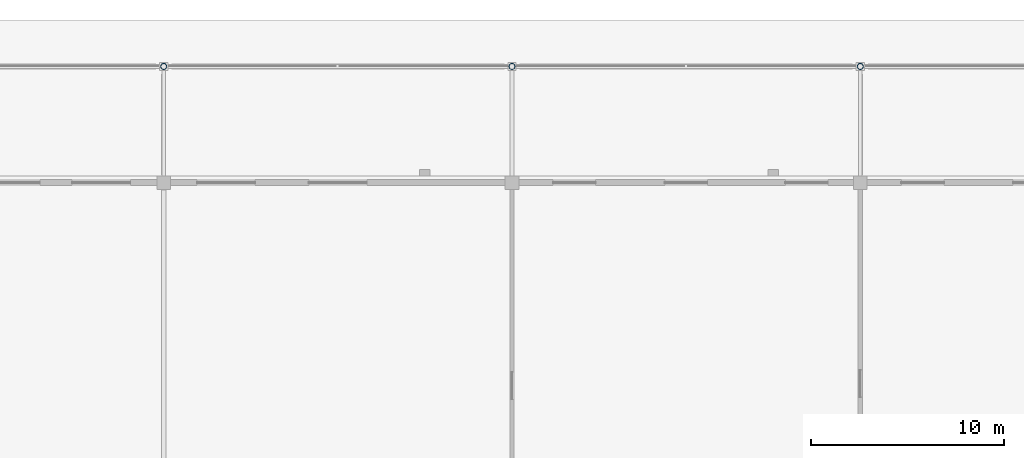
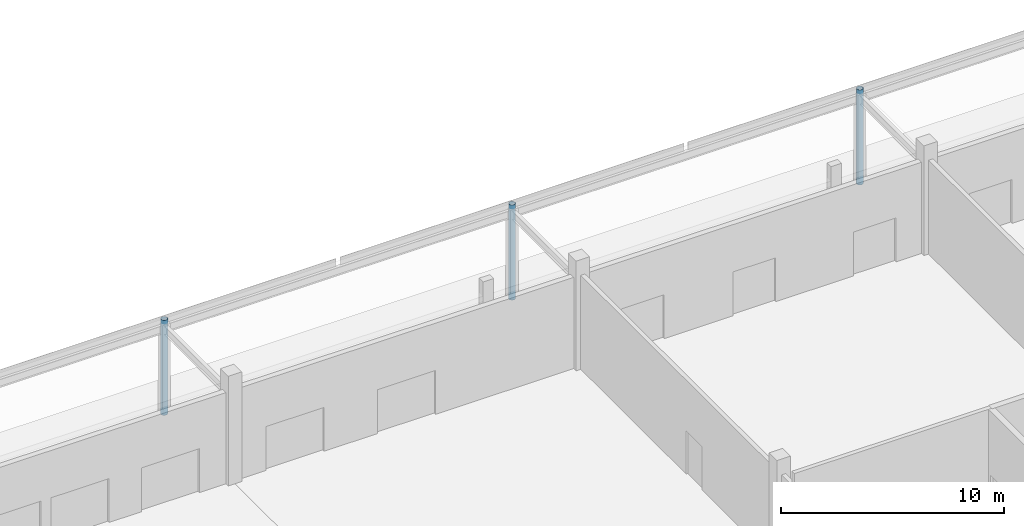
# One storey, part 18 of 84: 3 columns.
"""IFC4 building model written with IfcOpenShell, lengths in metres."""

import ifcopenshell
import ifcopenshell.guid

model = None  # the IFC model being written
_history = None  # IfcOwnerHistory: only IFC2X3 demands one
_inside = {}  # id of a spatial element -> (the spatial element, [elements in it])
_under = {}  # id of a project, library or spatial element -> (it, [spatial elements below it])
_declared = {}  # id of a project -> (the project, [libraries it declares])
_typed = {}  # id of a type object -> (the type object, [elements of that type])
_made_of = {}  # id of a material, layer set ... -> (it, [elements and type objects made of it])


def new_model(schema):
    """Start an empty IFC model of exactly this schema.

    Asked for "IFC4X3", IfcOpenShell would pick the latest addendum, in which some entities
    have other attributes; the version numbers below select the first issue.
    IFC2X3 requires an IfcOwnerHistory on every rooted entity: one is made here for all.
    """
    global model, _history
    if schema == "IFC4X3":
        model = ifcopenshell.file(schema_version=(4, 3, 0, 0))
    else:
        model = ifcopenshell.file(schema=schema)
    _inside.clear()
    _under.clear()
    _declared.clear()
    _typed.clear()
    _made_of.clear()
    _history = None
    if model.schema == "IFC2X3":
        org = make("IfcOrganization", Name="unknown")
        user = make(
            "IfcPersonAndOrganization",
            ThePerson=make("IfcPerson", FamilyName="unknown"),
            TheOrganization=org,
        )
        app = make(
            "IfcApplication",
            ApplicationDeveloper=org,
            Version="unknown",
            ApplicationFullName="unknown",
            ApplicationIdentifier="unknown",
        )
        _history = make(
            "IfcOwnerHistory",
            OwningUser=user,
            OwningApplication=app,
            ChangeAction="ADDED",
            CreationDate=0,
        )
    return model


def make(cls, **values):
    """One entity of the class cls with the attributes given. An attribute that is None is left unset."""
    return model.create_entity(
        cls, **{name: value for name, value in values.items() if value is not None}
    )


def rooted(cls, **values):
    """An entity with a GlobalId (a new one), such as an element, a storey or a relation."""
    return make(cls, GlobalId=ifcopenshell.guid.new(), OwnerHistory=_history, **values)


def si_unit(unit_type, name, prefix=None):
    """IfcSIUnit, for example si_unit("LENGTHUNIT", "METRE", prefix="MILLI")."""
    return make("IfcSIUnit", UnitType=unit_type, Prefix=prefix, Name=name)


def assignment(units):
    """IfcUnitAssignment: the units of a project."""
    return None if units is None else make("IfcUnitAssignment", Units=units)


def point(xyz):
    """IfcCartesianPoint."""
    return None if xyz is None else make("IfcCartesianPoint", Coordinates=xyz)


def direction(xyz):
    """IfcDirection."""
    return None if xyz is None else make("IfcDirection", DirectionRatios=xyz)


def frame(location, z_axis=None, x_axis=None):
    """IfcAxis2Placement3D, a coordinate frame: its origin and axes. An axis left out is left unset."""
    return make(
        "IfcAxis2Placement3D",
        Location=point(location),
        Axis=direction(z_axis),
        RefDirection=direction(x_axis),
    )


def frame_2d(location, x_axis=None):
    """IfcAxis2Placement2D, a coordinate frame in the plane: its origin and x axis."""
    return make(
        "IfcAxis2Placement2D", Location=point(location), RefDirection=direction(x_axis)
    )


def origin():
    """The frame at (0, 0, 0) with its axes left unset."""
    return frame((0.0, 0.0, 0.0))


def origin_2d():
    """The frame at (0, 0) in the plane with its x axis left unset."""
    return frame_2d((0.0, 0.0))


def place(relative_to, where):
    """IfcLocalPlacement: puts the frame where relative to a parent placement (None: the world)."""
    return make(
        "IfcLocalPlacement", PlacementRelTo=relative_to, RelativePlacement=where
    )


def context(
    kind, dimensions, precision=None, world=None, true_north=None, identifier=None
):
    """IfcGeometricRepresentationContext, for example the 3D "Model" context."""
    return make(
        "IfcGeometricRepresentationContext",
        ContextIdentifier=identifier,
        ContextType=kind,
        CoordinateSpaceDimension=dimensions,
        Precision=precision,
        WorldCoordinateSystem=world,
        TrueNorth=true_north,
    )


def subcontext(parent, identifier, kind, view, scale=None):
    """IfcGeometricRepresentationSubContext, for example "Body" below "Model"."""
    return make(
        "IfcGeometricRepresentationSubContext",
        ContextIdentifier=identifier,
        ContextType=kind,
        ParentContext=parent,
        TargetScale=scale,
        TargetView=view,
    )


def project(units=None, contexts=None):
    """IfcProject with its units and contexts."""
    return rooted(
        "IfcProject",
        Name="project",
        RepresentationContexts=contexts,
        UnitsInContext=assignment(units),
    )


def spatial(cls, under=None, at=None, **own):
    """A site, building, storey or space (cls), placed at a placement, below another one or the project."""
    s = rooted(cls, ObjectPlacement=at, **own)
    if under is not None:
        _under.setdefault(under.id(), (under, []))[1].append(s)
    return s


def profile(cls, at=None, kind="AREA", **sizes):
    """A parametric profile (cls). Its sizes go by their IFC names, for example OverallWidth=200.0."""
    return make(cls, ProfileType=kind, Position=at, **sizes)


def hollow_circle(**sizes):
    """IfcCircleHollowProfileDef."""
    return profile("IfcCircleHollowProfileDef", **sizes)


def extrude(swept, where, along, depth):
    """IfcExtrudedAreaSolid: the profile swept, set in the frame where, extruded along a direction by depth."""
    return make(
        "IfcExtrudedAreaSolid",
        SweptArea=swept,
        Position=where,
        ExtrudedDirection=direction(along),
        Depth=depth,
    )


def shape(context_of_items, identifier, shape_type, items):
    """IfcShapeRepresentation: the items that make up one representation, for example the "Body"."""
    return make(
        "IfcShapeRepresentation",
        ContextOfItems=context_of_items,
        RepresentationIdentifier=identifier,
        RepresentationType=shape_type,
        Items=items,
    )


def material(Name=None, Category=None):
    """IfcMaterial."""
    return make("IfcMaterial", Name=Name, Category=Category)


def material_profile(
    of_material, cross_section, Name=None, Category=None, Priority=None
):
    """IfcMaterialProfile: a cross section and its material."""
    return make(
        "IfcMaterialProfile",
        Name=Name,
        Material=of_material,
        Profile=cross_section,
        Priority=Priority,
        Category=Category,
    )


def profile_set(profiles, Name=None, composite=None):
    """IfcMaterialProfileSet."""
    return make(
        "IfcMaterialProfileSet",
        Name=Name,
        MaterialProfiles=profiles,
        CompositeProfile=composite,
    )


def made_of(thing, what):
    """Note that an element or type object is made of a material, layer set ...; save() writes the relation."""
    if what is not None:
        _made_of.setdefault(what.id(), (what, []))[1].append(thing)
    return thing


def type_object(cls, material=None, **own):
    """A type object (cls), such as IfcWallType, which elements share."""
    return made_of(rooted(cls, **own), material)


def element(
    cls,
    number,
    at=None,
    inside=None,
    cuts=None,
    type_object=None,
    material=None,
    context=None,
    identifier="Body",
    shape_type=None,
    held_by="IfcProductDefinitionShape",
    body=None,
    shapes=None,
    **own,
):
    """One element of the class cls, such as IfcWall. Its Tag is "e" and its number.

    at: its placement. inside: the storey or other place that contains it. cuts: it is an
    opening in that element (IfcRelVoidsElement). A single representation is given by context,
    identifier, shape_type and body (its items); several are given by shapes. held_by: the class
    of the entity that holds the representations. save() writes the other relations.
    """
    e = rooted(cls, Tag="e%d" % number, ObjectPlacement=at, **own)
    if body is not None:
        shapes = [shape(context, identifier, shape_type, body)]
    if shapes is not None:
        e.Representation = make(held_by, Representations=shapes)
    if inside is not None:
        _inside.setdefault(inside.id(), (inside, []))[1].append(e)
    if cuts is not None:
        rooted(
            "IfcRelVoidsElement", RelatingBuildingElement=cuts, RelatedOpeningElement=e
        )
    if type_object is not None:
        _typed.setdefault(type_object.id(), (type_object, []))[1].append(e)
    return made_of(e, material)


def aggregate(whole, parts):
    """IfcRelAggregates: a whole, such as a stair, and the parts it consists of."""
    return rooted("IfcRelAggregates", RelatingObject=whole, RelatedObjects=parts)


def save(model, path):
    """Write the relations noted so far, then the file.

    IfcRelAggregates (storeys below a building ...), IfcRelContainedInSpatialStructure (elements
    in a storey), IfcRelDefinesByType, IfcRelAssociatesMaterial and IfcRelDeclares: one each for
    every whole, place, type object, material and project.
    """
    for whole, parts in _under.values():
        aggregate(whole, parts)
    for where, things in _inside.values():
        rooted(
            "IfcRelContainedInSpatialStructure",
            RelatedElements=things,
            RelatingStructure=where,
        )
    for kind, things in _typed.values():
        rooted("IfcRelDefinesByType", RelatedObjects=things, RelatingType=kind)
    for what, things in _made_of.values():
        rooted("IfcRelAssociatesMaterial", RelatedObjects=things, RelatingMaterial=what)
    for by, libraries in _declared.values():
        rooted("IfcRelDeclares", RelatingContext=by, RelatedDefinitions=libraries)
    model.write(path)


model = new_model("IFC4")

# Units and contexts
model_context = context("Model", 3, precision=1e-05, world=origin(), true_north=direction((0.0, 1.0)))
body_context = subcontext(model_context, "Body", "Model", "MODEL_VIEW")
ifc_project = project(units=[si_unit("LENGTHUNIT", "METRE"), si_unit("AREAUNIT", "SQUARE_METRE"), si_unit("VOLUMEUNIT", "CUBIC_METRE"), si_unit("PLANEANGLEUNIT", "RADIAN"), si_unit("MASSUNIT", "GRAM", prefix="KILO")], contexts=[model_context])

# Site, building, storey
site_placement = place(None, origin())
site = spatial("IfcSite", under=ifc_project, at=site_placement, CompositionType="ELEMENT")
building_placement = place(site_placement, origin())
building = spatial("IfcBuilding", under=site, at=building_placement, Name="Kisiwana Market Hall", CompositionType="ELEMENT")
storey_placement = place(building_placement, origin())
storey = spatial("IfcBuildingStorey", under=building, at=storey_placement, Name="L00", CompositionType="ELEMENT", Elevation=0.0)

# Columns
ifc_material = material(Name="Steel S355", Category="steel")
ifc_material_profile = material_profile(ifc_material, hollow_circle(Radius=0.161865234375, WallThickness=0.01611328125, at=origin_2d()), Name="CHS 323.9x16.0")
ifc_profile_set = profile_set([ifc_material_profile], Name="Steel S355")
column_type = type_object("IfcColumnType", Name="COL-STL-CHS324", PredefinedType="COLUMN", material=ifc_profile_set)
for number, where, z_axis, x_axis, name in (
    (1, (99.0, 126.0, 0.0), (0.0, 0.0, 1.0), (1.0, 0.0, 0.0), "Column R/12 (L00) C-0263"),
    (2, (117.0, 126.0, 0.0), (0.0, 0.0, 1.0), (1.0, 0.0, 0.0), "Column R/14 (L00) C-0274"),
    (3, (135.0, 126.0, 0.0), (0.0, 0.0, 1.0), (1.0, 0.0, 0.0), "Column R/16 (L00) C-0283"),
):
    element("IfcColumn", number, at=place(storey_placement, frame(where, z_axis=z_axis, x_axis=x_axis)), inside=storey, type_object=column_type, Name=name, PredefinedType="COLUMN", context=body_context, shape_type="SweptSolid", body=[
        extrude(hollow_circle(Radius=0.161865234375, WallThickness=0.01611328125, at=origin_2d()), origin(), (0.0, 0.0, 1.0), 5.199951171875),
    ])

save(model, "model.ifc")
